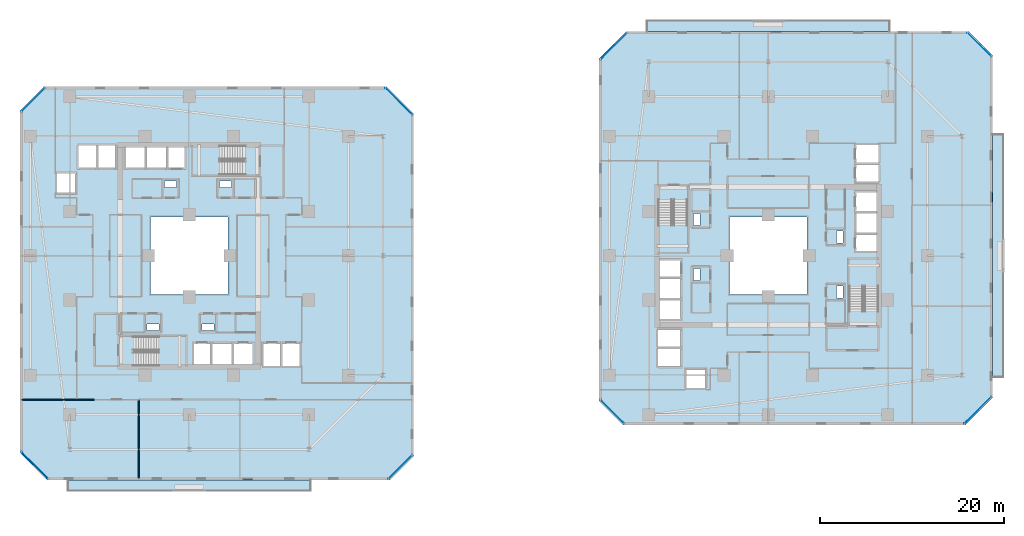
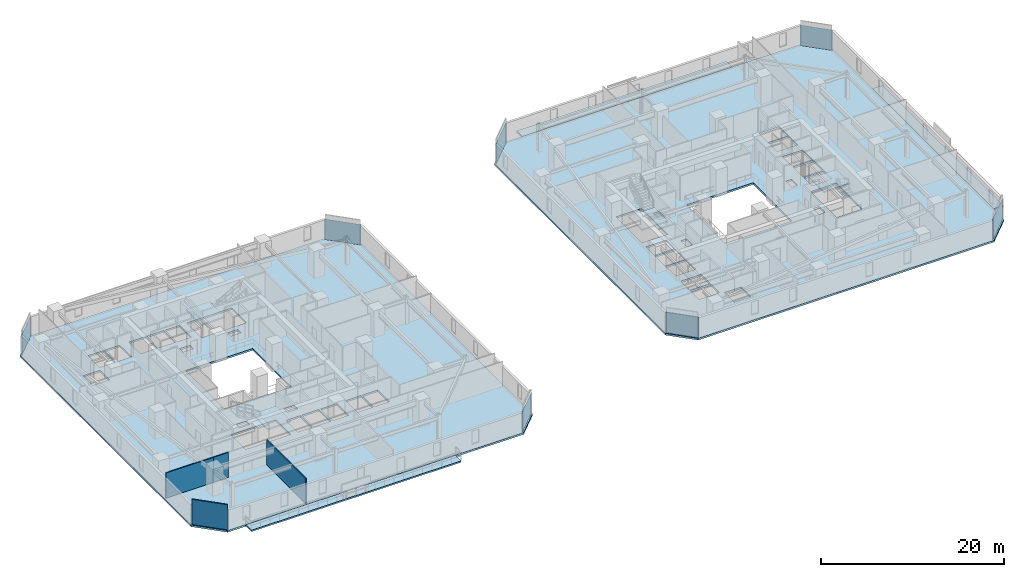
# One storey, part 20 of 35: 9 slabs, 8 plates, 4 walls, 12 elements without a shape of their own.
"""IFC4 building model written with IfcOpenShell, lengths in metres."""

import ifcopenshell
import ifcopenshell.guid

model = None  # the IFC model being written
_history = None  # IfcOwnerHistory: only IFC2X3 demands one
_inside = {}  # id of a spatial element -> (the spatial element, [elements in it])
_under = {}  # id of a project, library or spatial element -> (it, [spatial elements below it])
_declared = {}  # id of a project -> (the project, [libraries it declares])
_typed = {}  # id of a type object -> (the type object, [elements of that type])
_made_of = {}  # id of a material, layer set ... -> (it, [elements and type objects made of it])


def new_model(schema):
    """Start an empty IFC model of exactly this schema.

    Asked for "IFC4X3", IfcOpenShell would pick the latest addendum, in which some entities
    have other attributes; the version numbers below select the first issue.
    IFC2X3 requires an IfcOwnerHistory on every rooted entity: one is made here for all.
    """
    global model, _history
    if schema == "IFC4X3":
        model = ifcopenshell.file(schema_version=(4, 3, 0, 0))
    else:
        model = ifcopenshell.file(schema=schema)
    _inside.clear()
    _under.clear()
    _declared.clear()
    _typed.clear()
    _made_of.clear()
    _history = None
    if model.schema == "IFC2X3":
        org = make("IfcOrganization", Name="unknown")
        user = make(
            "IfcPersonAndOrganization",
            ThePerson=make("IfcPerson", FamilyName="unknown"),
            TheOrganization=org,
        )
        app = make(
            "IfcApplication",
            ApplicationDeveloper=org,
            Version="unknown",
            ApplicationFullName="unknown",
            ApplicationIdentifier="unknown",
        )
        _history = make(
            "IfcOwnerHistory",
            OwningUser=user,
            OwningApplication=app,
            ChangeAction="ADDED",
            CreationDate=0,
        )
    return model


def make(cls, **values):
    """One entity of the class cls with the attributes given. An attribute that is None is left unset."""
    return model.create_entity(
        cls, **{name: value for name, value in values.items() if value is not None}
    )


def rooted(cls, **values):
    """An entity with a GlobalId (a new one), such as an element, a storey or a relation."""
    return make(cls, GlobalId=ifcopenshell.guid.new(), OwnerHistory=_history, **values)


def si_unit(unit_type, name, prefix=None):
    """IfcSIUnit, for example si_unit("LENGTHUNIT", "METRE", prefix="MILLI")."""
    return make("IfcSIUnit", UnitType=unit_type, Prefix=prefix, Name=name)


def assignment(units):
    """IfcUnitAssignment: the units of a project."""
    return None if units is None else make("IfcUnitAssignment", Units=units)


def point(xyz):
    """IfcCartesianPoint."""
    return None if xyz is None else make("IfcCartesianPoint", Coordinates=xyz)


def direction(xyz):
    """IfcDirection."""
    return None if xyz is None else make("IfcDirection", DirectionRatios=xyz)


def frame(location, z_axis=None, x_axis=None):
    """IfcAxis2Placement3D, a coordinate frame: its origin and axes. An axis left out is left unset."""
    return make(
        "IfcAxis2Placement3D",
        Location=point(location),
        Axis=direction(z_axis),
        RefDirection=direction(x_axis),
    )


def frame_2d(location, x_axis=None):
    """IfcAxis2Placement2D, a coordinate frame in the plane: its origin and x axis."""
    return make(
        "IfcAxis2Placement2D", Location=point(location), RefDirection=direction(x_axis)
    )


def origin():
    """The frame at (0, 0, 0) with its axes left unset."""
    return frame((0.0, 0.0, 0.0))


def origin_2d():
    """The frame at (0, 0) in the plane with its x axis left unset."""
    return frame_2d((0.0, 0.0))


def place(relative_to, where):
    """IfcLocalPlacement: puts the frame where relative to a parent placement (None: the world)."""
    return make(
        "IfcLocalPlacement", PlacementRelTo=relative_to, RelativePlacement=where
    )


def context(
    kind, dimensions, precision=None, world=None, true_north=None, identifier=None
):
    """IfcGeometricRepresentationContext, for example the 3D "Model" context."""
    return make(
        "IfcGeometricRepresentationContext",
        ContextIdentifier=identifier,
        ContextType=kind,
        CoordinateSpaceDimension=dimensions,
        Precision=precision,
        WorldCoordinateSystem=world,
        TrueNorth=true_north,
    )


def subcontext(parent, identifier, kind, view, scale=None):
    """IfcGeometricRepresentationSubContext, for example "Body" below "Model"."""
    return make(
        "IfcGeometricRepresentationSubContext",
        ContextIdentifier=identifier,
        ContextType=kind,
        ParentContext=parent,
        TargetScale=scale,
        TargetView=view,
    )


def project(units=None, contexts=None):
    """IfcProject with its units and contexts."""
    return rooted(
        "IfcProject",
        Name="project",
        RepresentationContexts=contexts,
        UnitsInContext=assignment(units),
    )


def spatial(cls, under=None, at=None, **own):
    """A site, building, storey or space (cls), placed at a placement, below another one or the project."""
    s = rooted(cls, ObjectPlacement=at, **own)
    if under is not None:
        _under.setdefault(under.id(), (under, []))[1].append(s)
    return s


def polyline(points):
    """IfcPolyline through the points."""
    return make("IfcPolyline", Points=[point(p) for p in points])


def profile(cls, at=None, kind="AREA", **sizes):
    """A parametric profile (cls). Its sizes go by their IFC names, for example OverallWidth=200.0."""
    return make(cls, ProfileType=kind, Position=at, **sizes)


def rectangle(**sizes):
    """IfcRectangleProfileDef."""
    return profile("IfcRectangleProfileDef", **sizes)


def outline(outer, holes=None, kind="AREA"):
    """IfcArbitraryClosedProfileDef: a profile drawn as a closed curve; with holes, ...WithVoids."""
    if holes is None:
        return make("IfcArbitraryClosedProfileDef", ProfileType=kind, OuterCurve=outer)
    return make(
        "IfcArbitraryProfileDefWithVoids",
        ProfileType=kind,
        OuterCurve=outer,
        InnerCurves=holes,
    )


def extrude(swept, where, along, depth):
    """IfcExtrudedAreaSolid: the profile swept, set in the frame where, extruded along a direction by depth."""
    return make(
        "IfcExtrudedAreaSolid",
        SweptArea=swept,
        Position=where,
        ExtrudedDirection=direction(along),
        Depth=depth,
    )


def shape(context_of_items, identifier, shape_type, items):
    """IfcShapeRepresentation: the items that make up one representation, for example the "Body"."""
    return make(
        "IfcShapeRepresentation",
        ContextOfItems=context_of_items,
        RepresentationIdentifier=identifier,
        RepresentationType=shape_type,
        Items=items,
    )


def material(Name=None, Category=None):
    """IfcMaterial."""
    return make("IfcMaterial", Name=Name, Category=Category)


def layer(
    of_material, thickness, ventilated=None, Name=None, Category=None, Priority=None
):
    """IfcMaterialLayer: one layer of a wall or slab, of a material (None: an air gap)."""
    return make(
        "IfcMaterialLayer",
        Material=of_material,
        LayerThickness=thickness,
        IsVentilated=ventilated,
        Name=Name,
        Category=Category,
        Priority=Priority,
    )


def layer_set(layers, Name=None):
    """IfcMaterialLayerSet."""
    return make("IfcMaterialLayerSet", MaterialLayers=layers, LayerSetName=Name)


def made_of(thing, what):
    """Note that an element or type object is made of a material, layer set ...; save() writes the relation."""
    if what is not None:
        _made_of.setdefault(what.id(), (what, []))[1].append(thing)
    return thing


def type_object(cls, material=None, **own):
    """A type object (cls), such as IfcWallType, which elements share."""
    return made_of(rooted(cls, **own), material)


def element(
    cls,
    number,
    at=None,
    inside=None,
    cuts=None,
    type_object=None,
    material=None,
    context=None,
    identifier="Body",
    shape_type=None,
    held_by="IfcProductDefinitionShape",
    body=None,
    shapes=None,
    **own,
):
    """One element of the class cls, such as IfcWall. Its Tag is "e" and its number.

    at: its placement. inside: the storey or other place that contains it. cuts: it is an
    opening in that element (IfcRelVoidsElement). A single representation is given by context,
    identifier, shape_type and body (its items); several are given by shapes. held_by: the class
    of the entity that holds the representations. save() writes the other relations.
    """
    e = rooted(cls, Tag="e%d" % number, ObjectPlacement=at, **own)
    if body is not None:
        shapes = [shape(context, identifier, shape_type, body)]
    if shapes is not None:
        e.Representation = make(held_by, Representations=shapes)
    if inside is not None:
        _inside.setdefault(inside.id(), (inside, []))[1].append(e)
    if cuts is not None:
        rooted(
            "IfcRelVoidsElement", RelatingBuildingElement=cuts, RelatedOpeningElement=e
        )
    if type_object is not None:
        _typed.setdefault(type_object.id(), (type_object, []))[1].append(e)
    return made_of(e, material)


def aggregate(whole, parts):
    """IfcRelAggregates: a whole, such as a stair, and the parts it consists of."""
    return rooted("IfcRelAggregates", RelatingObject=whole, RelatedObjects=parts)


def save(model, path):
    """Write the relations noted so far, then the file.

    IfcRelAggregates (storeys below a building ...), IfcRelContainedInSpatialStructure (elements
    in a storey), IfcRelDefinesByType, IfcRelAssociatesMaterial and IfcRelDeclares: one each for
    every whole, place, type object, material and project.
    """
    for whole, parts in _under.values():
        aggregate(whole, parts)
    for where, things in _inside.values():
        rooted(
            "IfcRelContainedInSpatialStructure",
            RelatedElements=things,
            RelatingStructure=where,
        )
    for kind, things in _typed.values():
        rooted("IfcRelDefinesByType", RelatedObjects=things, RelatingType=kind)
    for what, things in _made_of.values():
        rooted("IfcRelAssociatesMaterial", RelatedObjects=things, RelatingMaterial=what)
    for by, libraries in _declared.values():
        rooted("IfcRelDeclares", RelatingContext=by, RelatedDefinitions=libraries)
    model.write(path)


model = new_model("IFC4")

# Units and contexts
model_context = context("Model", 3, precision=1e-05, world=origin(), true_north=direction((0.0, 1.0)))
body_context = subcontext(model_context, "Body", "Model", "MODEL_VIEW")
ifc_project = project(units=[si_unit("LENGTHUNIT", "METRE"), si_unit("AREAUNIT", "SQUARE_METRE"), si_unit("VOLUMEUNIT", "CUBIC_METRE"), si_unit("PLANEANGLEUNIT", "RADIAN"), si_unit("MASSUNIT", "GRAM", prefix="KILO")], contexts=[model_context])

# Site, building, storey
site_placement = place(None, origin())
site = spatial("IfcSite", under=ifc_project, at=site_placement, CompositionType="ELEMENT")
building_placement = place(site_placement, origin())
building = spatial("IfcBuilding", under=site, at=building_placement, Name="Thornwick Lancets Civic Towers", CompositionType="ELEMENT")
storey_placement = place(building_placement, frame((0.0, 0.0, 64.5)))
storey = spatial("IfcBuildingStorey", under=building, at=storey_placement, Name="L16", CompositionType="ELEMENT", Elevation=64.5)

# Curtain wall, plate
ifc_material_1 = material(Name="Low-zone chamfered-corner unitised glass curtain wall", Category="glass")
curtain_wall_type = type_object("IfcCurtainWallType", Name="CW_SYS_03", PredefinedType="NOTDEFINED", material=ifc_material_1)
curtain_wall_1_placement = place(storey_placement, origin())
curtain_wall_1 = element("IfcCurtainWall", 1, at=curtain_wall_1_placement, inside=storey, type_object=curtain_wall_type, Name="L16 Curtain Wall CW-L16-A-E1", PredefinedType="NOTDEFINED")
ifc_material_2 = material(Name="Low-e double glazing clear glass", Category="glass")
ifc_layer_1 = layer(ifc_material_2, 0.035888671875, Name="Low-e double glazing clear glass")
ifc_layer_set_1 = layer_set([ifc_layer_1], Name="Low-e double glazing clear glass")
plate_type = type_object("IfcPlateType", Name="CW_PNL_GLASS", PredefinedType="CURTAIN_PANEL", material=ifc_layer_set_1)
plate_1_placement = place(storey_placement, frame((48.472900390625, 4.027099609375, 0.0), z_axis=(0.0, 0.0, 1.0), x_axis=(0.707106781187, 0.707106781187, 0.0)))
plate_1 = element("IfcPlate", 2, at=plate_1_placement, type_object=plate_type, Name="CW-L16-A-E1 Panel 0", PredefinedType="CURTAIN_PANEL", context=body_context, shape_type="SweptSolid", body=[
    extrude(rectangle(XDim=3.64990234375, YDim=0.035888671875, at=origin_2d()), origin(), (0.0, 0.0, 1.0), 2.699951171875),
])
aggregate(curtain_wall_1, [plate_1])

curtain_wall_2_placement = place(storey_placement, origin())
curtain_wall_2 = element("IfcCurtainWall", 3, at=curtain_wall_2_placement, inside=storey, type_object=curtain_wall_type, Name="L16 Curtain Wall CW-L16-A-E3", PredefinedType="NOTDEFINED")
plate_2_placement = place(storey_placement, frame((48.3095703125, 43.8095703125, 0.0), z_axis=(0.0, 0.0, 1.0), x_axis=(-0.707106781187, 0.707106781187, 0.0)))
plate_2 = element("IfcPlate", 4, at=plate_2_placement, type_object=plate_type, Name="CW-L16-A-E3 Panel 0", PredefinedType="CURTAIN_PANEL", context=body_context, shape_type="SweptSolid", body=[
    extrude(rectangle(XDim=4.10888671875, YDim=0.035888671875, at=origin_2d()), origin(), (0.0, 0.0, 1.0), 2.699951171875),
])
aggregate(curtain_wall_2, [plate_2])

curtain_wall_3_placement = place(storey_placement, origin())
curtain_wall_3 = element("IfcCurtainWall", 5, at=curtain_wall_3_placement, inside=storey, type_object=curtain_wall_type, Name="L16 Curtain Wall CW-L16-A-E5", PredefinedType="NOTDEFINED")
plate_3_placement = place(storey_placement, frame((8.527099609375, 43.972900390625, 0.0), z_axis=(0.0, 0.0, 1.0), x_axis=(-0.707106781187, -0.707106781187, 0.0)))
plate_3 = element("IfcPlate", 6, at=plate_3_placement, type_object=plate_type, Name="CW-L16-A-E5 Panel 0", PredefinedType="CURTAIN_PANEL", context=body_context, shape_type="SweptSolid", body=[
    extrude(rectangle(XDim=3.64990234375, YDim=0.035888671875, at=origin_2d()), origin(), (0.0, 0.0, 1.0), 2.699951171875),
])
aggregate(curtain_wall_3, [plate_3])

curtain_wall_4_placement = place(storey_placement, origin())
curtain_wall_4 = element("IfcCurtainWall", 7, at=curtain_wall_4_placement, inside=storey, type_object=curtain_wall_type, Name="L16 Curtain Wall CW-L16-A-E7", PredefinedType="NOTDEFINED")
plate_4_placement = place(storey_placement, frame((8.6904296875, 4.1904296875, 0.0), z_axis=(0.0, 0.0, 1.0), x_axis=(0.707106781187, -0.707106781187, 0.0)))
plate_4 = element("IfcPlate", 8, at=plate_4_placement, type_object=plate_type, Name="CW-L16-A-E7 Panel 0", PredefinedType="CURTAIN_PANEL", context=body_context, shape_type="SweptSolid", body=[
    extrude(rectangle(XDim=4.10888671875, YDim=0.035888671875, at=origin_2d()), origin(), (0.0, 0.0, 1.0), 2.699951171875),
])
aggregate(curtain_wall_4, [plate_4])

curtain_wall_5_placement = place(storey_placement, origin())
curtain_wall_5 = element("IfcCurtainWall", 9, at=curtain_wall_5_placement, inside=storey, type_object=curtain_wall_type, Name="L16 Curtain Wall CW-L16-B-E1", PredefinedType="NOTDEFINED")
plate_5_placement = place(storey_placement, frame((111.3095703125, 10.1904296875, 0.0), z_axis=(0.0, 0.0, 1.0), x_axis=(0.707106781187, 0.707106781187, 0.0)))
plate_5 = element("IfcPlate", 10, at=plate_5_placement, type_object=plate_type, Name="CW-L16-B-E1 Panel 0", PredefinedType="CURTAIN_PANEL", context=body_context, shape_type="SweptSolid", body=[
    extrude(rectangle(XDim=4.10888671875, YDim=0.035888671875, at=origin_2d()), origin(), (0.0, 0.0, 1.0), 2.699951171875),
])
aggregate(curtain_wall_5, [plate_5])

curtain_wall_6_placement = place(storey_placement, origin())
curtain_wall_6 = element("IfcCurtainWall", 11, at=curtain_wall_6_placement, inside=storey, type_object=curtain_wall_type, Name="L16 Curtain Wall CW-L16-B-E3", PredefinedType="NOTDEFINED")
plate_6_placement = place(storey_placement, frame((111.472900390625, 49.972900390625, 0.0), z_axis=(0.0, 0.0, 1.0), x_axis=(-0.707106781187, 0.707106781187, 0.0)))
plate_6 = element("IfcPlate", 12, at=plate_6_placement, type_object=plate_type, Name="CW-L16-B-E3 Panel 0", PredefinedType="CURTAIN_PANEL", context=body_context, shape_type="SweptSolid", body=[
    extrude(rectangle(XDim=3.64990234375, YDim=0.035888671875, at=origin_2d()), origin(), (0.0, 0.0, 1.0), 2.699951171875),
])
aggregate(curtain_wall_6, [plate_6])

curtain_wall_7_placement = place(storey_placement, origin())
curtain_wall_7 = element("IfcCurtainWall", 13, at=curtain_wall_7_placement, inside=storey, type_object=curtain_wall_type, Name="L16 Curtain Wall CW-L16-B-E5", PredefinedType="NOTDEFINED")
plate_7_placement = place(storey_placement, frame((71.6904296875, 49.8095703125, 0.0), z_axis=(0.0, 0.0, 1.0), x_axis=(-0.707106781187, -0.707106781187, 0.0)))
plate_7 = element("IfcPlate", 14, at=plate_7_placement, type_object=plate_type, Name="CW-L16-B-E5 Panel 0", PredefinedType="CURTAIN_PANEL", context=body_context, shape_type="SweptSolid", body=[
    extrude(rectangle(XDim=4.10888671875, YDim=0.035888671875, at=origin_2d()), origin(), (0.0, 0.0, 1.0), 2.699951171875),
])
aggregate(curtain_wall_7, [plate_7])

curtain_wall_8_placement = place(storey_placement, origin())
curtain_wall_8 = element("IfcCurtainWall", 15, at=curtain_wall_8_placement, inside=storey, type_object=curtain_wall_type, Name="L16 Curtain Wall CW-L16-B-E7", PredefinedType="NOTDEFINED")
plate_8_placement = place(storey_placement, frame((71.527099609375, 10.027099609375, 0.0), z_axis=(0.0, 0.0, 1.0), x_axis=(0.707106781187, -0.707106781187, 0.0)))
plate_8 = element("IfcPlate", 16, at=plate_8_placement, type_object=plate_type, Name="CW-L16-B-E7 Panel 0", PredefinedType="CURTAIN_PANEL", context=body_context, shape_type="SweptSolid", body=[
    extrude(rectangle(XDim=3.64990234375, YDim=0.035888671875, at=origin_2d()), origin(), (0.0, 0.0, 1.0), 2.699951171875),
])
aggregate(curtain_wall_8, [plate_8])

# Slabs
ifc_material_3 = material(Name="Post-tensioned concrete C40/50", Category="concrete")
ifc_layer_2 = layer(ifc_material_3, 0.199951171875, Name="Post-tensioned concrete C40/50")
ifc_layer_set_2 = layer_set([ifc_layer_2], Name="Post-tensioned concrete C40/50")
slab_type_1 = type_object("IfcSlabType", Name="SLAB_BALCONY_200", PredefinedType="FLOOR", material=ifc_layer_set_2)
slab_1_placement = place(storey_placement, frame((0.0, 0.0, -0.199951171875)))
element("IfcSlab", 17, at=slab_1_placement, inside=storey, type_object=slab_type_1, Name="L16 Tower A Planted Balcony Slab S", PredefinedType="FLOOR", context=body_context, shape_type="SweptSolid", body=[
    extrude(outline(polyline([(12.300048828125, 1.35009765625), (38.699951171875, 1.35009765625), (38.699951171875, 2.60009765625), (12.300048828125, 2.60009765625), (12.300048828125, 1.35009765625)])), origin(), (0.0, 0.0, 1.0), 0.199951171875),
])
slab_2_placement = place(storey_placement, frame((0.0, 0.0, -0.199951171875)))
element("IfcSlab", 18, at=slab_2_placement, inside=storey, type_object=slab_type_1, Name="L16 Tower B Planted Balcony Slab E", PredefinedType="FLOOR", context=body_context, shape_type="SweptSolid", body=[
    extrude(outline(polyline([(112.89990234375, 13.800048828125), (114.14990234375, 13.800048828125), (114.14990234375, 40.199951171875), (112.89990234375, 40.199951171875), (112.89990234375, 13.800048828125)])), origin(), (0.0, 0.0, 1.0), 0.199951171875),
])
slab_3_placement = place(storey_placement, frame((0.0, 0.0, -0.199951171875)))
element("IfcSlab", 19, at=slab_3_placement, inside=storey, type_object=slab_type_1, Name="L16 Tower B Planted Balcony Slab N", PredefinedType="FLOOR", context=body_context, shape_type="SweptSolid", body=[
    extrude(outline(polyline([(75.300048828125, 51.39990234375), (101.699951171875, 51.39990234375), (101.699951171875, 52.64990234375), (75.300048828125, 52.64990234375), (75.300048828125, 51.39990234375)])), origin(), (0.0, 0.0, 1.0), 0.199951171875),
])

# Stair, slab
ifc_material_4 = material(Name="Concrete C40/50", Category="concrete")
stair_type = type_object("IfcStairType", Name="STAIR_DL_3600", PredefinedType="HALF_TURN_STAIR", material=ifc_material_4)
stair_1_placement = place(storey_placement, origin())
stair_1 = element("IfcStair", 20, at=stair_1_placement, inside=storey, type_object=stair_type, Name="L16 Tower A South Exit Stair ST-A1", PredefinedType="HALF_TURN_STAIR")
ifc_layer_3 = layer(ifc_material_4, 0.25, Name="Concrete C40/50")
ifc_layer_set_3 = layer_set([ifc_layer_3], Name="Concrete C40/50")
slab_type_2 = type_object("IfcSlabType", Name="SLAB_LANDING_200", PredefinedType="LANDING", material=ifc_layer_set_3)
slab_4_placement = place(storey_placement, frame((0.0, 0.0, 1.60302734375)))
slab_4 = element("IfcSlab", 21, at=slab_4_placement, type_object=slab_type_2, Name="ST-A1 landing 1", PredefinedType="LANDING", context=body_context, shape_type="SweptSolid", body=[
    extrude(outline(polyline([(22.169921875, 14.93994140625), (25.14990234375, 14.93994140625), (25.14990234375, 18.260009765625), (22.169921875, 18.260009765625), (22.169921875, 14.93994140625)])), origin(), (0.0, 0.0, 1.0), 0.199951171875),
])
aggregate(stair_1, [slab_4])

stair_2_placement = place(storey_placement, origin())
stair_2 = element("IfcStair", 22, at=stair_2_placement, inside=storey, type_object=stair_type, Name="L16 Tower A North Exit Stair ST-A2", PredefinedType="HALF_TURN_STAIR")
slab_5_placement = place(storey_placement, frame((0.0, 0.0, 1.60302734375)))
slab_5 = element("IfcSlab", 23, at=slab_5_placement, type_object=slab_type_2, Name="ST-A2 landing 1", PredefinedType="LANDING", context=body_context, shape_type="SweptSolid", body=[
    extrude(outline(polyline([(28.830078125, 39.06005859375), (25.85009765625, 39.06005859375), (25.85009765625, 35.739990234375), (28.830078125, 35.739990234375), (28.830078125, 39.06005859375)])), origin(), (0.0, 0.0, 1.0), 0.199951171875),
])
aggregate(stair_2, [slab_5])

stair_3_placement = place(storey_placement, origin())
stair_3 = element("IfcStair", 24, at=stair_3_placement, inside=storey, type_object=stair_type, Name="L16 Tower B East Exit Stair ST-B1", PredefinedType="HALF_TURN_STAIR")
slab_6_placement = place(storey_placement, frame((0.0, 0.0, 1.60302734375)))
slab_6 = element("IfcSlab", 25, at=slab_6_placement, type_object=slab_type_2, Name="ST-B1 landing 1", PredefinedType="LANDING", context=body_context, shape_type="SweptSolid", body=[
    extrude(outline(polyline([(100.56005859375, 23.669921875), (100.56005859375, 26.64990234375), (97.239990234375, 26.64990234375), (97.239990234375, 23.669921875), (100.56005859375, 23.669921875)])), origin(), (0.0, 0.0, 1.0), 0.199951171875),
])
aggregate(stair_3, [slab_6])

stair_4_placement = place(storey_placement, origin())
stair_4 = element("IfcStair", 26, at=stair_4_placement, inside=storey, type_object=stair_type, Name="L16 Tower B West Exit Stair ST-B2", PredefinedType="HALF_TURN_STAIR")
slab_7_placement = place(storey_placement, frame((0.0, 0.0, 1.60302734375)))
slab_7 = element("IfcSlab", 27, at=slab_7_placement, type_object=slab_type_2, Name="ST-B2 landing 1", PredefinedType="LANDING", context=body_context, shape_type="SweptSolid", body=[
    extrude(outline(polyline([(76.43994140625, 30.330078125), (76.43994140625, 27.35009765625), (79.760009765625, 27.35009765625), (79.760009765625, 30.330078125), (76.43994140625, 30.330078125)])), origin(), (0.0, 0.0, 1.0), 0.199951171875),
])
aggregate(stair_4, [slab_7])

# Slabs
ifc_layer_4 = layer(ifc_material_3, 0.239990234375, Name="Post-tensioned concrete C40/50")
ifc_layer_set_4 = layer_set([ifc_layer_4], Name="Post-tensioned concrete C40/50")
slab_type_3 = type_object("IfcSlabType", Name="SLAB_PT_240", PredefinedType="FLOOR", material=ifc_layer_set_4)
slab_8_placement = place(storey_placement, frame((0.0, 0.0, -0.239990234375)))
element("IfcSlab", 28, at=slab_8_placement, inside=storey, type_object=slab_type_3, Name="L16 Tower A Floor Slab", PredefinedType="FLOOR", context=body_context, shape_type="SweptSolid", body=[
    extrude(outline(polyline([(10.027099609375, 2.60009765625), (47.300048828125, 2.60009765625), (49.89990234375, 5.199951171875), (49.89990234375, 42.472900390625), (46.972900390625, 45.39990234375), (9.699951171875, 45.39990234375), (7.10009765625, 42.800048828125), (7.10009765625, 5.527099609375), (10.027099609375, 2.60009765625)]), holes=[polyline([(21.300048828125, 22.800048828125), (29.699951171875, 22.800048828125), (29.699951171875, 31.199951171875), (21.300048828125, 31.199951171875), (21.300048828125, 22.800048828125)]), polyline([(19.429931640625, 15.0), (25.10009765625, 15.0), (25.10009765625, 18.199951171875), (19.429931640625, 18.199951171875), (19.429931640625, 15.0)]), polyline([(31.570068359375, 39.0), (25.89990234375, 39.0), (25.89990234375, 35.800048828125), (31.570068359375, 35.800048828125), (31.570068359375, 39.0)]), polyline([(26.0, 15.0), (27.800048828125, 15.0), (27.800048828125, 17.550048828125), (26.0, 17.550048828125), (26.0, 15.0)]), polyline([(28.0, 15.0), (30.14990234375, 15.0), (30.14990234375, 17.550048828125), (28.0, 17.550048828125), (28.0, 15.0)]), polyline([(30.35009765625, 15.0), (32.39990234375, 15.0), (32.39990234375, 17.550048828125), (30.35009765625, 17.550048828125), (30.35009765625, 15.0)]), polyline([(33.550048828125, 15.0), (35.449951171875, 15.0), (35.449951171875, 17.550048828125), (33.550048828125, 17.550048828125), (33.550048828125, 15.0)]), polyline([(35.60009765625, 15.0), (37.550048828125, 15.0), (37.550048828125, 17.550048828125), (35.60009765625, 17.550048828125), (35.60009765625, 15.0)]), polyline([(23.199951171875, 36.449951171875), (25.0, 36.449951171875), (25.0, 39.0), (23.199951171875, 39.0), (23.199951171875, 36.449951171875)]), polyline([(20.85009765625, 36.449951171875), (23.0, 36.449951171875), (23.0, 39.0), (20.85009765625, 39.0), (20.85009765625, 36.449951171875)]), polyline([(18.60009765625, 36.449951171875), (20.699951171875, 36.449951171875), (20.699951171875, 39.0), (18.60009765625, 39.0), (18.60009765625, 36.449951171875)]), polyline([(15.550048828125, 36.449951171875), (17.449951171875, 36.449951171875), (17.449951171875, 39.0), (15.550048828125, 39.0), (15.550048828125, 36.449951171875)]), polyline([(13.449951171875, 36.449951171875), (15.39990234375, 36.449951171875), (15.39990234375, 39.0), (13.449951171875, 39.0), (13.449951171875, 36.449951171875)]), polyline([(11.10009765625, 33.85009765625), (13.199951171875, 33.85009765625), (13.199951171875, 35.949951171875), (11.10009765625, 35.949951171875), (11.10009765625, 33.85009765625)]), polyline([(26.89990234375, 18.85009765625), (28.199951171875, 18.85009765625), (28.199951171875, 19.580078125), (26.89990234375, 19.580078125), (26.89990234375, 18.85009765625)]), polyline([(20.89990234375, 18.85009765625), (22.199951171875, 18.85009765625), (22.199951171875, 19.580078125), (20.89990234375, 19.580078125), (20.89990234375, 18.85009765625)]), polyline([(22.800048828125, 34.419921875), (24.10009765625, 34.419921875), (24.10009765625, 35.14990234375), (22.800048828125, 35.14990234375), (22.800048828125, 34.419921875)]), polyline([(28.800048828125, 34.419921875), (30.10009765625, 34.419921875), (30.10009765625, 35.14990234375), (28.800048828125, 35.14990234375), (28.800048828125, 34.419921875)])]), origin(), (0.0, 0.0, 1.0), 0.239990234375),
])
slab_9_placement = place(storey_placement, frame((0.0, 0.0, -0.239990234375)))
element("IfcSlab", 29, at=slab_9_placement, inside=storey, type_object=slab_type_3, Name="L16 Tower B Floor Slab", PredefinedType="FLOOR", context=body_context, shape_type="SweptSolid", body=[
    extrude(outline(polyline([(72.699951171875, 8.60009765625), (109.972900390625, 8.60009765625), (112.89990234375, 11.527099609375), (112.89990234375, 48.800048828125), (110.300048828125, 51.39990234375), (73.027099609375, 51.39990234375), (70.10009765625, 48.472900390625), (70.10009765625, 11.199951171875), (72.699951171875, 8.60009765625)]), holes=[polyline([(84.300048828125, 22.800048828125), (92.699951171875, 22.800048828125), (92.699951171875, 31.199951171875), (84.300048828125, 31.199951171875), (84.300048828125, 22.800048828125)]), polyline([(100.5, 20.929931640625), (100.5, 26.60009765625), (97.300048828125, 26.60009765625), (97.300048828125, 20.929931640625), (100.5, 20.929931640625)]), polyline([(76.5, 33.070068359375), (76.5, 27.39990234375), (79.699951171875, 27.39990234375), (79.699951171875, 33.070068359375), (76.5, 33.070068359375)]), polyline([(97.949951171875, 27.5), (100.5, 27.5), (100.5, 29.300048828125), (97.949951171875, 29.300048828125), (97.949951171875, 27.5)]), polyline([(97.949951171875, 29.5), (100.5, 29.5), (100.5, 31.64990234375), (97.949951171875, 31.64990234375), (97.949951171875, 29.5)]), polyline([(97.949951171875, 31.85009765625), (100.5, 31.85009765625), (100.5, 33.89990234375), (97.949951171875, 33.89990234375), (97.949951171875, 31.85009765625)]), polyline([(97.949951171875, 35.050048828125), (100.5, 35.050048828125), (100.5, 36.949951171875), (97.949951171875, 36.949951171875), (97.949951171875, 35.050048828125)]), polyline([(97.949951171875, 37.10009765625), (100.5, 37.10009765625), (100.5, 39.050048828125), (97.949951171875, 39.050048828125), (97.949951171875, 37.10009765625)]), polyline([(76.5, 24.699951171875), (79.050048828125, 24.699951171875), (79.050048828125, 26.5), (76.5, 26.5), (76.5, 24.699951171875)]), polyline([(76.5, 22.35009765625), (79.050048828125, 22.35009765625), (79.050048828125, 24.5), (76.5, 24.5), (76.5, 22.35009765625)]), polyline([(76.5, 20.10009765625), (79.050048828125, 20.10009765625), (79.050048828125, 22.199951171875), (76.5, 22.199951171875), (76.5, 20.10009765625)]), polyline([(76.5, 17.050048828125), (79.050048828125, 17.050048828125), (79.050048828125, 18.949951171875), (76.5, 18.949951171875), (76.5, 17.050048828125)]), polyline([(76.5, 14.949951171875), (79.050048828125, 14.949951171875), (79.050048828125, 16.89990234375), (76.5, 16.89990234375), (76.5, 14.949951171875)]), polyline([(79.550048828125, 12.60009765625), (81.64990234375, 12.60009765625), (81.64990234375, 14.699951171875), (79.550048828125, 14.699951171875), (79.550048828125, 12.60009765625)]), polyline([(95.919921875, 28.39990234375), (96.64990234375, 28.39990234375), (96.64990234375, 29.699951171875), (95.919921875, 29.699951171875), (95.919921875, 28.39990234375)]), polyline([(95.919921875, 22.39990234375), (96.64990234375, 22.39990234375), (96.64990234375, 23.699951171875), (95.919921875, 23.699951171875), (95.919921875, 22.39990234375)]), polyline([(80.35009765625, 24.300048828125), (81.080078125, 24.300048828125), (81.080078125, 25.60009765625), (80.35009765625, 25.60009765625), (80.35009765625, 24.300048828125)]), polyline([(80.35009765625, 30.300048828125), (81.080078125, 30.300048828125), (81.080078125, 31.60009765625), (80.35009765625, 31.60009765625), (80.35009765625, 30.300048828125)])]), origin(), (0.0, 0.0, 1.0), 0.239990234375),
])

# Walls
ifc_material_5 = material(Name="Acoustic gypsum board partition")
ifc_layer_5 = layer(ifc_material_5, 0.1201171875, Name="Acoustic gypsum board partition")
ifc_layer_set_5 = layer_set([ifc_layer_5], Name="Acoustic gypsum board partition")
wall_type = type_object("IfcWallType", Name="WALL_PART_120", PredefinedType="PARTITIONING", material=ifc_layer_set_5)
wall_1_placement = place(storey_placement, frame((13.25, 11.35009765625, 0.0), z_axis=(0.0, 0.0, 1.0), x_axis=(-1.0, 0.0, 0.0)))
element("IfcWall", 30, at=wall_1_placement, inside=storey, type_object=wall_type, Name="L16 Partition L16-A-W1 E5", PredefinedType="PARTITIONING", context=body_context, shape_type="SweptSolid", body=[
    extrude(rectangle(XDim=5.969970703125, YDim=0.1201171875, at=frame_2d((2.98486328125, 0.0))), origin(), (0.0, 0.0, 1.0), 3.340087890625),
])
wall_2_placement = place(storey_placement, frame((13.25, 11.35009765625, 0.0), z_axis=(0.0, 0.0, 1.0), x_axis=(1.0, 0.0, 0.0)))
element("IfcWall", 31, at=wall_2_placement, inside=storey, type_object=wall_type, Name="L16 Partition L16-A-S-OFF1 E1", PredefinedType="PARTITIONING", context=body_context, shape_type="SweptSolid", body=[
    extrude(rectangle(XDim=1.89990234375, YDim=0.1201171875, at=frame_2d((0.949951171875, 0.0))), origin(), (0.0, 0.0, 1.0), 3.340087890625),
])
wall_3_placement = place(storey_placement, frame((20.0, 11.35009765625, 0.0), z_axis=(0.0, 0.0, 1.0), x_axis=(0.0, -1.0, 0.0)))
element("IfcWall", 32, at=wall_3_placement, inside=storey, type_object=wall_type, Name="L16 Partition L16-A-S-OFF1 E3", PredefinedType="PARTITIONING", context=body_context, shape_type="SweptSolid", body=[
    extrude(rectangle(XDim=8.570068359375, YDim=0.1201171875, at=frame_2d((4.28515625, 0.0))), origin(), (0.0, 0.0, 1.0), 3.340087890625),
])
wall_4_placement = place(storey_placement, frame((10.1015625, 2.780029296875, 0.0), z_axis=(0.0, 0.0, 1.0), x_axis=(-0.707106781187, 0.707106781187, 0.0)))
element("IfcWall", 33, at=wall_4_placement, inside=storey, type_object=wall_type, Name="L16 Partition L16-A-S-OFF1 E5", PredefinedType="PARTITIONING", context=body_context, shape_type="SweptSolid", body=[
    extrude(rectangle(XDim=3.990234375, YDim=0.1201171875, at=frame_2d((1.9951171875, 0.0))), origin(), (0.0, 0.0, 1.0), 3.340087890625),
])

save(model, "model.ifc")
